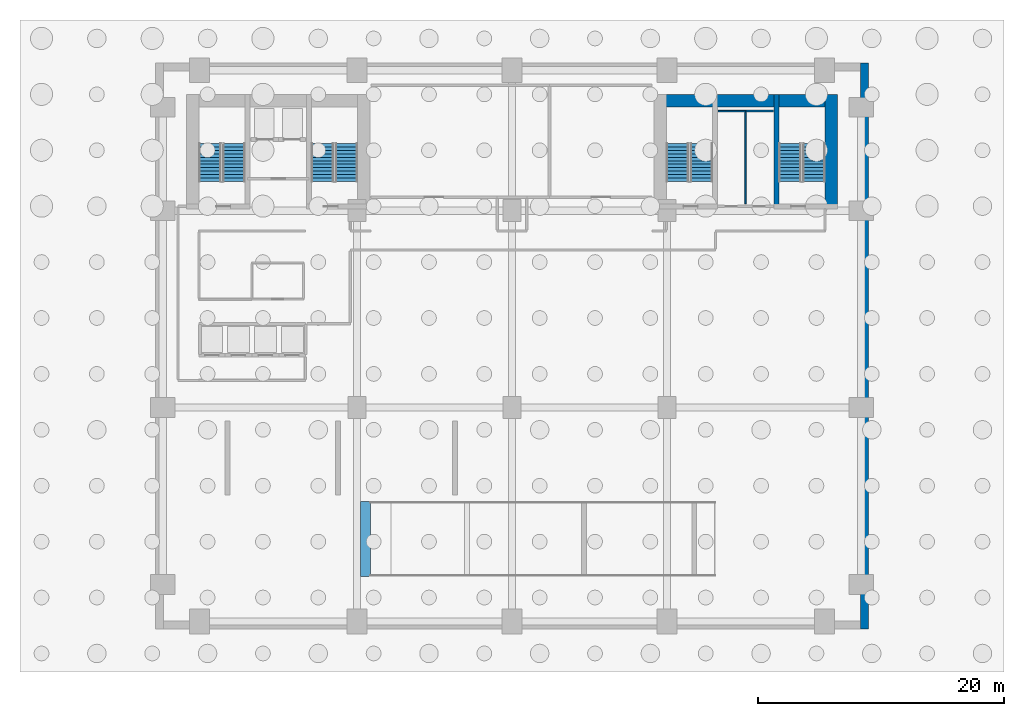
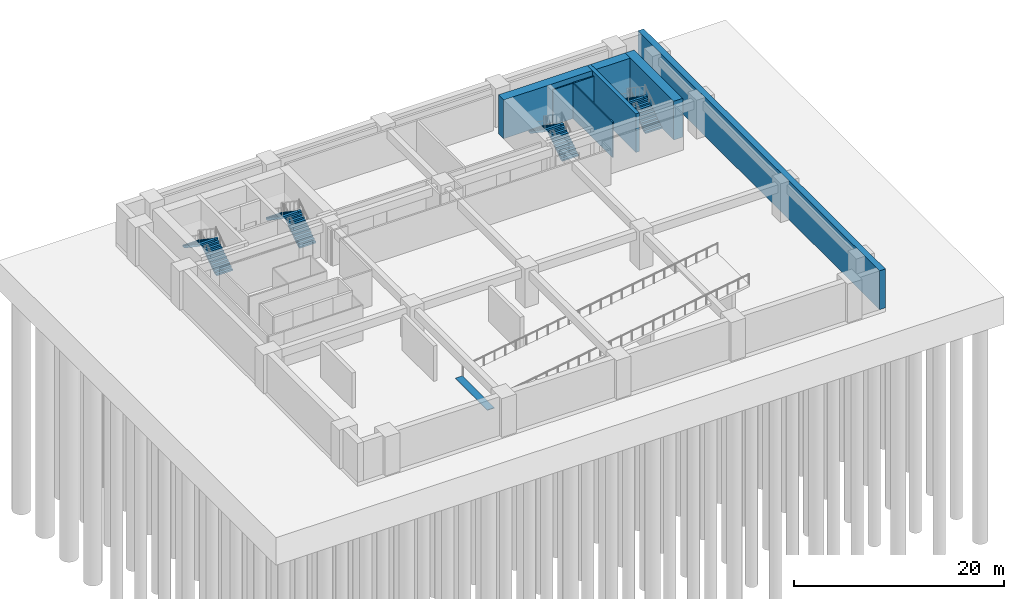
# One storey, part 4 of 8: 8 stair flights, 7 walls, 1 ramp, 4 elements without a shape of their own.
"""IFC4 building model written with IfcOpenShell, lengths in metres."""

from ifc_helpers import new_model, si_unit, direction, frame, frame_2d, origin, place, context, subcontext, project, spatial, polyline, rectangle, outline, extrude, material, layer, layer_set, type_object, element, aggregate, save


model = new_model("IFC4")

# Units and contexts
model_context = context("Model", 3, precision=1e-05, world=origin(), true_north=direction((0.0, 1.0)))
body_context = subcontext(model_context, "Body", "Model", "MODEL_VIEW")
ifc_project = project(units=[si_unit("LENGTHUNIT", "METRE"), si_unit("AREAUNIT", "SQUARE_METRE"), si_unit("VOLUMEUNIT", "CUBIC_METRE"), si_unit("PLANEANGLEUNIT", "RADIAN"), si_unit("MASSUNIT", "GRAM", prefix="KILO")], contexts=[model_context])

# Site, building, storey
site_placement = place(None, origin())
site = spatial("IfcSite", under=ifc_project, at=site_placement, CompositionType="ELEMENT")
building_placement = place(site_placement, origin())
building = spatial("IfcBuilding", under=site, at=building_placement, Name="Sulina Concourse Tower", CompositionType="ELEMENT")
storey_placement = place(building_placement, frame((0.0, 0.0, -9.0)))
storey = spatial("IfcBuildingStorey", under=building, at=storey_placement, Name="B2", CompositionType="ELEMENT", Elevation=-9.0)

# Walls
ifc_material_1 = material(Name="Concrete C50/60", Category="concrete")
ifc_layer_1 = layer(ifc_material_1, 0.64990234375)
ifc_layer_set_1 = layer_set([ifc_layer_1], Name="Concrete C50/60")
wall_type_1 = type_object("IfcWallType", Name="Basement Perimeter Retaining Wall 650mm", PredefinedType="SOLIDWALL", material=ifc_layer_set_1)
wall_1_placement = place(storey_placement, frame((57.675048828125, 46.0, 0.0), z_axis=(0.0, 0.0, 1.0), x_axis=(0.0, -1.0, 0.0)))
element("IfcWall", 1, at=wall_1_placement, inside=storey, type_object=wall_type_1, Name="B2 basement retaining wall RW-E", PredefinedType="SOLIDWALL", context=body_context, shape_type="SweptSolid", body=[
    extrude(rectangle(XDim=46.0, YDim=0.64990234375, at=frame_2d((23.0, 0.0))), origin(), (0.0, 0.0, 1.0), 4.5),
])
ifc_material_2 = material(Name="Gypsum board on steel stud", Category="steel")
ifc_layer_2 = layer(ifc_material_2, 0.14990234375)
ifc_layer_set_2 = layer_set([ifc_layer_2], Name="Gypsum board on steel stud")
wall_type_2 = type_object("IfcWallType", Name="Inter-Tenancy Acoustic Partition 150mm", PredefinedType="PARTITIONING", material=ifc_layer_set_2)
wall_2_placement = place(storey_placement, frame((48.0, 42.10009765625, 0.0), z_axis=(0.0, 0.0, 1.0), x_axis=(1.0, 0.0, 0.0)))
element("IfcWall", 2, at=wall_2_placement, inside=storey, type_object=wall_type_2, Name="B2 interior partition 019", PredefinedType="PARTITIONING", context=body_context, shape_type="SweptSolid", body=[
    extrude(rectangle(XDim=2.25, YDim=0.14990234375, at=frame_2d((1.125, 0.0))), origin(), (0.0, 0.0, 1.0), 4.10009765625),
])
ifc_material_3 = material(Name="Concrete C60/75", Category="concrete")
ifc_layer_3 = layer(ifc_material_3, 0.39990234375)
ifc_layer_set_3 = layer_set([ifc_layer_3], Name="Concrete C60/75")
wall_type_3 = type_object("IfcWallType", Name="Protected Stair Core Shear Wall 400mm", PredefinedType="SHEAR", material=ifc_layer_set_3)
wall_3_placement = place(storey_placement, frame((50.489990234375, 34.14990234375, 0.0), z_axis=(0.0, 0.0, 1.0), x_axis=(0.0, 1.0, 0.0)))
element("IfcWall", 3, at=wall_3_placement, inside=storey, type_object=wall_type_3, Name="B2 east core shear wall SW-ST4", PredefinedType="SHEAR", context=body_context, shape_type="SweptSolid", body=[
    extrude(rectangle(XDim=9.280029296875, YDim=0.39990234375, at=frame_2d((4.64013671875, 0.0))), origin(), (0.0, 0.0, 1.0), 4.5),
])
ifc_material_4 = material(Name="Concrete C80/95", Category="concrete")
ifc_layer_4 = layer(ifc_material_4, 1.0)
ifc_layer_set_4 = layer_set([ifc_layer_4], Name="Concrete C80/95")
wall_type_4 = type_object("IfcWallType", Name="Rear Core Shear Wall 1000mm", PredefinedType="SHEAR", material=ifc_layer_set_4)
wall_4_placement = place(storey_placement, frame((40.550048828125, 42.929931640625, 0.0), z_axis=(0.0, 0.0, 1.0), x_axis=(1.0, 0.0, 0.0)))
element("IfcWall", 4, at=wall_4_placement, inside=storey, type_object=wall_type_4, Name="B2 east core shear wall CW-EN", PredefinedType="SHEAR", context=body_context, shape_type="SweptSolid", body=[
    extrude(rectangle(XDim=14.89990234375, YDim=1.0, at=frame_2d((7.449951171875, 0.0))), origin(), (0.0, 0.0, 1.0), 4.5),
])
wall_5_placement = place(storey_placement, frame((54.949951171875, 34.14990234375, 0.0), z_axis=(0.0, 0.0, 1.0), x_axis=(0.0, 1.0, 0.0)))
element("IfcWall", 5, at=wall_5_placement, inside=storey, type_object=wall_type_4, Name="B2 east core shear wall CW-EE", PredefinedType="SHEAR", context=body_context, shape_type="SweptSolid", body=[
    extrude(rectangle(XDim=9.280029296875, YDim=1.0, at=frame_2d((4.64013671875, 0.0))), origin(), (0.0, 0.0, 1.0), 4.5),
])
ifc_material_5 = material(Name="Gypsum board on steel stud", Category="steel")
ifc_layer_5 = layer(ifc_material_5, 0.125)
ifc_layer_set_5 = layer_set([ifc_layer_5], Name="Gypsum board on steel stud")
wall_type_5 = type_object("IfcWallType", Name="Wet-Area Moisture-Resistant Partition 125mm", PredefinedType="PARTITIONING", material=ifc_layer_set_5)
wall_6_placement = place(storey_placement, frame((45.75, 42.10009765625, 0.0), z_axis=(0.0, 0.0, 1.0), x_axis=(1.0, 0.0, 0.0)))
element("IfcWall", 6, at=wall_6_placement, inside=storey, type_object=wall_type_5, Name="B2 interior partition 018", PredefinedType="PARTITIONING", context=body_context, shape_type="SweptSolid", body=[
    extrude(rectangle(XDim=2.25, YDim=0.125, at=frame_2d((1.125, 0.0))), origin(), (0.0, 0.0, 1.0), 4.10009765625),
])
wall_7_placement = place(storey_placement, frame((48.0, 34.550048828125, 0.0), z_axis=(0.0, 0.0, 1.0), x_axis=(0.0, 1.0, 0.0)))
element("IfcWall", 7, at=wall_7_placement, inside=storey, type_object=wall_type_5, Name="B2 interior partition 034", PredefinedType="PARTITIONING", context=body_context, shape_type="SweptSolid", body=[
    extrude(rectangle(XDim=7.474853515625, YDim=0.125, at=frame_2d((3.7373046875, 0.0))), origin(), (0.0, 0.0, 1.0), 4.10009765625),
])

# Stair, stair flights
ifc_material_6 = material(Name="Concrete C50/60", Category="concrete")
stair_type_1 = type_object("IfcStairType", Name="Portal & Podium Core Exit Stair 1820mm", PredefinedType="HALF_TURN_STAIR", material=ifc_material_6)
stair_1_placement = place(storey_placement, origin())
stair_1 = element("IfcStair", 8, at=stair_1_placement, inside=storey, type_object=stair_type_1, Name="B2 ST-3", PredefinedType="HALF_TURN_STAIR")
ifc_material_7 = material(Name="Concrete C50/60", Category="concrete")
stair_flight_type_1 = type_object("IfcStairFlightType", Name="Portal & Podium Core Exit Stair 1820mm Flight", PredefinedType="STRAIGHT", material=ifc_material_7)
stair_flight_1_placement = place(storey_placement, frame((44.405029296875, 36.375, 0.0), z_axis=(0.0, 0.0, 1.0), x_axis=(0.0, 1.0, 0.0)))
stair_flight_1 = element("IfcStairFlight", 9, at=stair_flight_1_placement, type_object=stair_flight_type_1, Name="ST-3 flight 1", NumberOfRisers=12, NumberOfTreads=11, PredefinedType="STRAIGHT", RiserHeight=0.1875, TreadLength=0.28, context=body_context, shape_type="SweptSolid", body=[
    extrude(outline(polyline([(0.0, 0.0), (0.0, 0.1875), (0.280029296875, 0.1875), (0.280029296875, 0.375), (0.56005859375, 0.375), (0.56005859375, 0.5625), (0.840087890625, 0.5625), (0.840087890625, 0.75), (1.1201171875, 0.75), (1.1201171875, 0.9375), (1.39990234375, 0.9375), (1.39990234375, 1.125), (1.679931640625, 1.125), (1.679931640625, 1.3125), (1.9599609375, 1.3125), (1.9599609375, 1.5), (2.239990234375, 1.5), (2.239990234375, 1.6875), (2.52001953125, 1.6875), (2.52001953125, 1.875), (2.800048828125, 1.875), (2.800048828125, 2.0625), (3.080078125, 2.0625), (3.080078125, 2.25), (3.080078125, 1.845947265625), (0.323486328125, 0.0), (0.0, 0.0)])), frame((0.0, 0.89990234375, 0.0), z_axis=(0.0, -1.0, 0.0), x_axis=(1.0, 0.0, 0.0)), (0.0, 0.0, 1.0), 1.800048828125),
])
stair_flight_2_placement = place(storey_placement, frame((42.455078125, 39.455078125, 2.25), z_axis=(0.0, 0.0, 1.0), x_axis=(0.0, -1.0, 0.0)))
stair_flight_2 = element("IfcStairFlight", 10, at=stair_flight_2_placement, type_object=stair_flight_type_1, Name="ST-3 flight 2", NumberOfRisers=12, NumberOfTreads=11, PredefinedType="STRAIGHT", RiserHeight=0.1875, TreadLength=0.28, context=body_context, shape_type="SweptSolid", body=[
    extrude(outline(polyline([(0.0, 0.0), (0.0, 0.1875), (0.280029296875, 0.1875), (0.280029296875, 0.375), (0.56005859375, 0.375), (0.56005859375, 0.5625), (0.840087890625, 0.5625), (0.840087890625, 0.75), (1.1201171875, 0.75), (1.1201171875, 0.9375), (1.39990234375, 0.9375), (1.39990234375, 1.125), (1.679931640625, 1.125), (1.679931640625, 1.3125), (1.9599609375, 1.3125), (1.9599609375, 1.5), (2.239990234375, 1.5), (2.239990234375, 1.6875), (2.52001953125, 1.6875), (2.52001953125, 1.875), (2.800048828125, 1.875), (2.800048828125, 2.0625), (3.080078125, 2.0625), (3.080078125, 2.25), (3.080078125, 1.845947265625), (0.323486328125, 0.0), (0.0, 0.0)])), frame((0.0, 0.89990234375, 0.0), z_axis=(0.0, -1.0, 0.0), x_axis=(1.0, 0.0, 0.0)), (0.0, 0.0, 1.0), 1.800048828125),
])
aggregate(stair_1, [stair_flight_1, stair_flight_2])

stair_2_placement = place(storey_placement, origin())
stair_2 = element("IfcStair", 11, at=stair_2_placement, inside=storey, type_object=stair_type_1, Name="B2 ST-4", PredefinedType="HALF_TURN_STAIR")
stair_flight_3_placement = place(storey_placement, frame((53.544921875, 36.375, 0.0), z_axis=(0.0, 0.0, 1.0), x_axis=(0.0, 1.0, 0.0)))
stair_flight_3 = element("IfcStairFlight", 12, at=stair_flight_3_placement, type_object=stair_flight_type_1, Name="ST-4 flight 1", NumberOfRisers=12, NumberOfTreads=11, PredefinedType="STRAIGHT", RiserHeight=0.1875, TreadLength=0.28, context=body_context, shape_type="SweptSolid", body=[
    extrude(outline(polyline([(0.0, 0.0), (0.0, 0.1875), (0.280029296875, 0.1875), (0.280029296875, 0.375), (0.56005859375, 0.375), (0.56005859375, 0.5625), (0.840087890625, 0.5625), (0.840087890625, 0.75), (1.1201171875, 0.75), (1.1201171875, 0.9375), (1.39990234375, 0.9375), (1.39990234375, 1.125), (1.679931640625, 1.125), (1.679931640625, 1.3125), (1.9599609375, 1.3125), (1.9599609375, 1.5), (2.239990234375, 1.5), (2.239990234375, 1.6875), (2.52001953125, 1.6875), (2.52001953125, 1.875), (2.800048828125, 1.875), (2.800048828125, 2.0625), (3.080078125, 2.0625), (3.080078125, 2.25), (3.080078125, 1.845947265625), (0.323486328125, 0.0), (0.0, 0.0)])), frame((0.0, 0.89990234375, 0.0), z_axis=(0.0, -1.0, 0.0), x_axis=(1.0, 0.0, 0.0)), (0.0, 0.0, 1.0), 1.800048828125),
])
stair_flight_4_placement = place(storey_placement, frame((51.594970703125, 39.455078125, 2.25), z_axis=(0.0, 0.0, 1.0), x_axis=(0.0, -1.0, 0.0)))
stair_flight_4 = element("IfcStairFlight", 13, at=stair_flight_4_placement, type_object=stair_flight_type_1, Name="ST-4 flight 2", NumberOfRisers=12, NumberOfTreads=11, PredefinedType="STRAIGHT", RiserHeight=0.1875, TreadLength=0.28, context=body_context, shape_type="SweptSolid", body=[
    extrude(outline(polyline([(0.0, 0.0), (0.0, 0.1875), (0.280029296875, 0.1875), (0.280029296875, 0.375), (0.56005859375, 0.375), (0.56005859375, 0.5625), (0.840087890625, 0.5625), (0.840087890625, 0.75), (1.1201171875, 0.75), (1.1201171875, 0.9375), (1.39990234375, 0.9375), (1.39990234375, 1.125), (1.679931640625, 1.125), (1.679931640625, 1.3125), (1.9599609375, 1.3125), (1.9599609375, 1.5), (2.239990234375, 1.5), (2.239990234375, 1.6875), (2.52001953125, 1.6875), (2.52001953125, 1.875), (2.800048828125, 1.875), (2.800048828125, 2.0625), (3.080078125, 2.0625), (3.080078125, 2.25), (3.080078125, 1.845947265625), (0.323486328125, 0.0), (0.0, 0.0)])), frame((0.0, 0.89990234375, 0.0), z_axis=(0.0, -1.0, 0.0), x_axis=(1.0, 0.0, 0.0)), (0.0, 0.0, 1.0), 1.800048828125),
])
aggregate(stair_2, [stair_flight_3, stair_flight_4])

ifc_material_8 = material(Name="Concrete C50/60", Category="concrete")
stair_type_2 = type_object("IfcStairType", Name="Primary Core Dog-Leg Exit Stair 1800mm", PredefinedType="HALF_TURN_STAIR", material=ifc_material_8)
stair_3_placement = place(storey_placement, origin())
stair_3 = element("IfcStair", 14, at=stair_3_placement, inside=storey, type_object=stair_type_2, Name="B2 ST-1", PredefinedType="HALF_TURN_STAIR")
ifc_material_9 = material(Name="Concrete C50/60", Category="concrete")
stair_flight_type_2 = type_object("IfcStairFlightType", Name="Primary Core Dog-Leg Exit Stair 1800mm Flight", PredefinedType="STRAIGHT", material=ifc_material_9)
stair_flight_5_placement = place(storey_placement, frame((6.405029296875, 36.375, 0.0), z_axis=(0.0, 0.0, 1.0), x_axis=(0.0, 1.0, 0.0)))
stair_flight_5 = element("IfcStairFlight", 15, at=stair_flight_5_placement, type_object=stair_flight_type_2, Name="ST-1 flight 1", NumberOfRisers=12, NumberOfTreads=11, PredefinedType="STRAIGHT", RiserHeight=0.1875, TreadLength=0.28, context=body_context, shape_type="SweptSolid", body=[
    extrude(outline(polyline([(0.0, 0.0), (0.0, 0.1875), (0.280029296875, 0.1875), (0.280029296875, 0.375), (0.56005859375, 0.375), (0.56005859375, 0.5625), (0.840087890625, 0.5625), (0.840087890625, 0.75), (1.1201171875, 0.75), (1.1201171875, 0.9375), (1.39990234375, 0.9375), (1.39990234375, 1.125), (1.679931640625, 1.125), (1.679931640625, 1.3125), (1.9599609375, 1.3125), (1.9599609375, 1.5), (2.239990234375, 1.5), (2.239990234375, 1.6875), (2.52001953125, 1.6875), (2.52001953125, 1.875), (2.800048828125, 1.875), (2.800048828125, 2.0625), (3.080078125, 2.0625), (3.080078125, 2.25), (3.080078125, 1.845947265625), (0.323486328125, 0.0), (0.0, 0.0)])), frame((0.0, 0.89990234375, 0.0), z_axis=(0.0, -1.0, 0.0), x_axis=(1.0, 0.0, 0.0)), (0.0, 0.0, 1.0), 1.800048828125),
])
stair_flight_6_placement = place(storey_placement, frame((4.455078125, 39.455078125, 2.25), z_axis=(0.0, 0.0, 1.0), x_axis=(0.0, -1.0, 0.0)))
stair_flight_6 = element("IfcStairFlight", 16, at=stair_flight_6_placement, type_object=stair_flight_type_2, Name="ST-1 flight 2", NumberOfRisers=12, NumberOfTreads=11, PredefinedType="STRAIGHT", RiserHeight=0.1875, TreadLength=0.28, context=body_context, shape_type="SweptSolid", body=[
    extrude(outline(polyline([(0.0, 0.0), (0.0, 0.1875), (0.280029296875, 0.1875), (0.280029296875, 0.375), (0.56005859375, 0.375), (0.56005859375, 0.5625), (0.840087890625, 0.5625), (0.840087890625, 0.75), (1.1201171875, 0.75), (1.1201171875, 0.9375), (1.39990234375, 0.9375), (1.39990234375, 1.125), (1.679931640625, 1.125), (1.679931640625, 1.3125), (1.9599609375, 1.3125), (1.9599609375, 1.5), (2.239990234375, 1.5), (2.239990234375, 1.6875), (2.52001953125, 1.6875), (2.52001953125, 1.875), (2.800048828125, 1.875), (2.800048828125, 2.0625), (3.080078125, 2.0625), (3.080078125, 2.25), (3.080078125, 1.845947265625), (0.323486328125, 0.0), (0.0, 0.0)])), frame((0.0, 0.89990234375, 0.0), z_axis=(0.0, -1.0, 0.0), x_axis=(1.0, 0.0, 0.0)), (0.0, 0.0, 1.0), 1.800048828125),
])
aggregate(stair_3, [stair_flight_5, stair_flight_6])

stair_4_placement = place(storey_placement, origin())
stair_4 = element("IfcStair", 17, at=stair_4_placement, inside=storey, type_object=stair_type_2, Name="B2 ST-2", PredefinedType="HALF_TURN_STAIR")
stair_flight_7_placement = place(storey_placement, frame((15.544921875, 36.375, 0.0), z_axis=(0.0, 0.0, 1.0), x_axis=(0.0, 1.0, 0.0)))
stair_flight_7 = element("IfcStairFlight", 18, at=stair_flight_7_placement, type_object=stair_flight_type_2, Name="ST-2 flight 1", NumberOfRisers=12, NumberOfTreads=11, PredefinedType="STRAIGHT", RiserHeight=0.1875, TreadLength=0.28, context=body_context, shape_type="SweptSolid", body=[
    extrude(outline(polyline([(0.0, 0.0), (0.0, 0.1875), (0.280029296875, 0.1875), (0.280029296875, 0.375), (0.56005859375, 0.375), (0.56005859375, 0.5625), (0.840087890625, 0.5625), (0.840087890625, 0.75), (1.1201171875, 0.75), (1.1201171875, 0.9375), (1.39990234375, 0.9375), (1.39990234375, 1.125), (1.679931640625, 1.125), (1.679931640625, 1.3125), (1.9599609375, 1.3125), (1.9599609375, 1.5), (2.239990234375, 1.5), (2.239990234375, 1.6875), (2.52001953125, 1.6875), (2.52001953125, 1.875), (2.800048828125, 1.875), (2.800048828125, 2.0625), (3.080078125, 2.0625), (3.080078125, 2.25), (3.080078125, 1.845947265625), (0.323486328125, 0.0), (0.0, 0.0)])), frame((0.0, 0.89990234375, 0.0), z_axis=(0.0, -1.0, 0.0), x_axis=(1.0, 0.0, 0.0)), (0.0, 0.0, 1.0), 1.800048828125),
])
stair_flight_8_placement = place(storey_placement, frame((13.594970703125, 39.455078125, 2.25), z_axis=(0.0, 0.0, 1.0), x_axis=(0.0, -1.0, 0.0)))
stair_flight_8 = element("IfcStairFlight", 19, at=stair_flight_8_placement, type_object=stair_flight_type_2, Name="ST-2 flight 2", NumberOfRisers=12, NumberOfTreads=11, PredefinedType="STRAIGHT", RiserHeight=0.1875, TreadLength=0.28, context=body_context, shape_type="SweptSolid", body=[
    extrude(outline(polyline([(0.0, 0.0), (0.0, 0.1875), (0.280029296875, 0.1875), (0.280029296875, 0.375), (0.56005859375, 0.375), (0.56005859375, 0.5625), (0.840087890625, 0.5625), (0.840087890625, 0.75), (1.1201171875, 0.75), (1.1201171875, 0.9375), (1.39990234375, 0.9375), (1.39990234375, 1.125), (1.679931640625, 1.125), (1.679931640625, 1.3125), (1.9599609375, 1.3125), (1.9599609375, 1.5), (2.239990234375, 1.5), (2.239990234375, 1.6875), (2.52001953125, 1.6875), (2.52001953125, 1.875), (2.800048828125, 1.875), (2.800048828125, 2.0625), (3.080078125, 2.0625), (3.080078125, 2.25), (3.080078125, 1.845947265625), (0.323486328125, 0.0), (0.0, 0.0)])), frame((0.0, 0.89990234375, 0.0), z_axis=(0.0, -1.0, 0.0), x_axis=(1.0, 0.0, 0.0)), (0.0, 0.0, 1.0), 1.800048828125),
])
aggregate(stair_4, [stair_flight_7, stair_flight_8])

# Ramp
ifc_material_10 = material(Name="Concrete C50/60", Category="concrete")
ramp_type = type_object("IfcRampType", Name="Car Park Two-Way Vehicle Ramp Assembly", PredefinedType="STRAIGHT_RUN_RAMP", material=ifc_material_10)
ramp_placement = place(storey_placement, frame((0.0, 0.0, -0.080078125)))
element("IfcRamp", 20, at=ramp_placement, inside=storey, type_object=ramp_type, Name="B2 vehicular ramp entry pad RMP-VEH-B2", PredefinedType="STRAIGHT_RUN_RAMP", context=body_context, shape_type="SweptSolid", body=[
    extrude(outline(polyline([(16.699951171875, 4.25), (17.5, 4.25), (17.5, 10.35009765625), (16.699951171875, 10.35009765625), (16.699951171875, 4.25)])), origin(), (0.0, 0.0, 1.0), 0.080078125),
])

save(model, "model.ifc")
